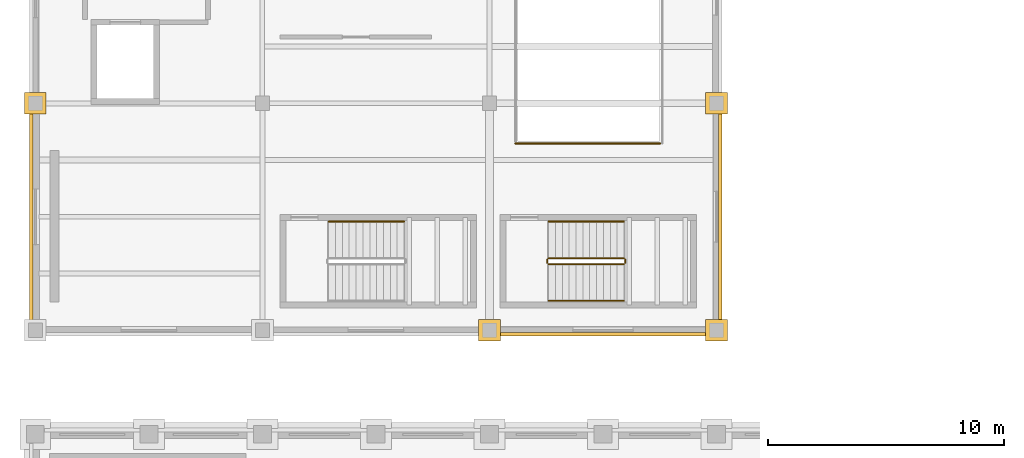
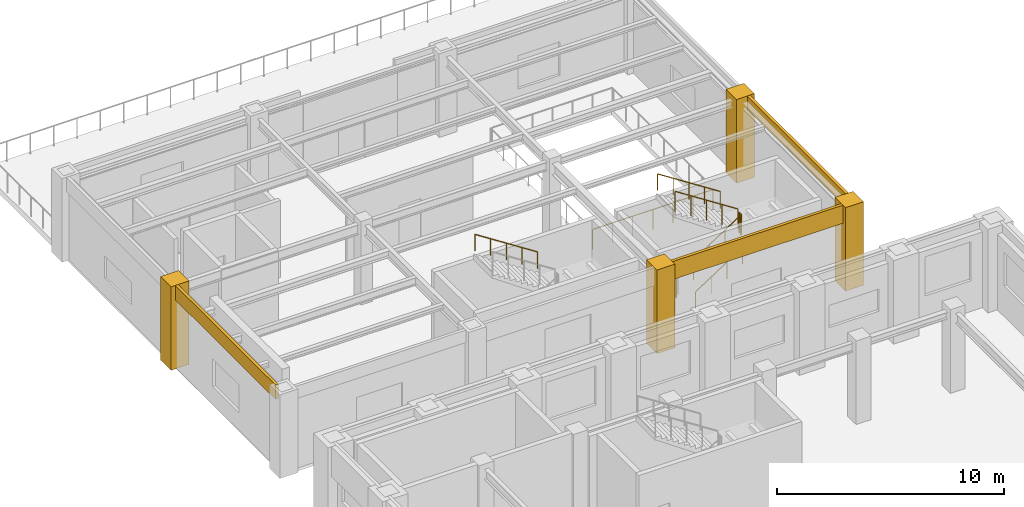
# One storey, part 42 of 46: 8 railings, 7 coverings.
"""IFC4 building model written with IfcOpenShell, lengths in metres."""

from ifc_helpers import new_model, si_unit, direction, frame, origin, origin_2d, place, context, subcontext, project, spatial, polyline, circle, outline, extrude, material, layer, layer_set, type_object, element, save


model = new_model("IFC4")

# Units and contexts
model_context = context("Model", 3, precision=1e-05, world=origin(), true_north=direction((0.0, 1.0)))
body_context = subcontext(model_context, "Body", "Model", "MODEL_VIEW")
ifc_project = project(units=[si_unit("LENGTHUNIT", "METRE"), si_unit("AREAUNIT", "SQUARE_METRE"), si_unit("VOLUMEUNIT", "CUBIC_METRE"), si_unit("PLANEANGLEUNIT", "RADIAN"), si_unit("MASSUNIT", "GRAM", prefix="KILO")], contexts=[model_context])

# Site, building, storey
site_placement = place(None, origin())
site = spatial("IfcSite", under=ifc_project, at=site_placement, CompositionType="ELEMENT")
building_placement = place(site_placement, origin())
building = spatial("IfcBuilding", under=site, at=building_placement, Name="Mavantir Sound Aquarium", CompositionType="ELEMENT")
storey_placement = place(building_placement, frame((0.0, 0.0, 15.300048828125)))
storey = spatial("IfcBuildingStorey", under=building, at=storey_placement, Name="L03", CompositionType="ELEMENT", Elevation=15.300048828125)

# Coverings
ifc_material_1 = material(Name="Honed Coral-Limestone & Glazed Terracotta Rainscreen Cladding", Category="masonry")
ifc_layer = layer(ifc_material_1, 0.06005859375, Name="Honed Coral-Limestone & Glazed Terracotta Rainscreen Cladding")
ifc_layer_set = layer_set([ifc_layer], Name="Honed Coral-Limestone & Glazed Terracotta Rainscreen Cladding")
covering_type = type_object("IfcCoveringType", Name="COV-CLAD-TC", PredefinedType="CLADDING", material=ifc_layer_set)
covering_1_placement = place(storey_placement, frame((0.0, 0.0, 3.77294921875)))
element("IfcCovering", 1, at=covering_1_placement, inside=storey, type_object=covering_type, Name="L03 Postmodern coral-limestone spandrel frieze 464", PredefinedType="CLADDING", context=body_context, shape_type="SweptSolid", body=[
    extrude(outline(polyline([(28.889892578125, 83.907958984375), (28.889892578125, 92.89208984375), (29.0400390625, 92.89208984375), (29.0400390625, 83.907958984375), (28.889892578125, 83.907958984375)])), origin(), (0.0, 0.0, 1.0), 0.72705078125),
])
covering_2_placement = place(storey_placement, frame((0.0, 0.0, 3.718994140625)))
element("IfcCovering", 2, at=covering_2_placement, inside=storey, type_object=covering_type, Name="L03 Postmodern coral-limestone spandrel frieze 471", PredefinedType="CLADDING", context=body_context, shape_type="SweptSolid", body=[
    extrude(outline(polyline([(-0.090087890625, 92.89208984375), (-0.090087890625, 83.907958984375), (-0.239990234375, 83.907958984375), (-0.239990234375, 92.89208984375), (-0.090087890625, 92.89208984375)])), origin(), (0.0, 0.0, 1.0), 0.781005859375),
])
covering_3_placement = place(storey_placement, frame((0.0, 0.0, 3.52490234375)))
element("IfcCovering", 3, at=covering_3_placement, inside=storey, type_object=covering_type, Name="L03 Postmodern coral-limestone spandrel frieze 474", PredefinedType="CLADDING", context=body_context, shape_type="SweptSolid", body=[
    extrude(outline(polyline([(19.508056640625, 83.510009765625), (28.491943359375, 83.510009765625), (28.491943359375, 83.360107421875), (19.508056640625, 83.360107421875), (19.508056640625, 83.510009765625)])), origin(), (0.0, 0.0, 1.0), 0.97509765625),
])
covering_4_placement = place(storey_placement, origin())
element("IfcCovering", 4, at=covering_4_placement, inside=storey, type_object=covering_type, Name="L03 Postmodern coral-limestone pilaster casing 352", PredefinedType="CLADDING", context=body_context, shape_type="SweptSolid", body=[
    extrude(outline(polyline([(-0.4599609375, 92.739990234375), (0.4599609375, 92.739990234375), (0.4599609375, 93.659912109375), (-0.4599609375, 93.659912109375), (-0.4599609375, 92.739990234375)])), origin(), (0.0, 0.0, 1.0), 4.5),
])
covering_5_placement = place(storey_placement, origin())
element("IfcCovering", 5, at=covering_5_placement, inside=storey, type_object=covering_type, Name="L03 Postmodern coral-limestone pilaster casing 381", PredefinedType="CLADDING", context=body_context, shape_type="SweptSolid", body=[
    extrude(outline(polyline([(18.739990234375, 83.139892578125), (19.659912109375, 83.139892578125), (19.659912109375, 84.06005859375), (18.739990234375, 84.06005859375), (18.739990234375, 83.139892578125)])), origin(), (0.0, 0.0, 1.0), 4.5),
])
covering_6_placement = place(storey_placement, origin())
element("IfcCovering", 6, at=covering_6_placement, inside=storey, type_object=covering_type, Name="L03 Postmodern coral-limestone pilaster casing 393", PredefinedType="CLADDING", context=body_context, shape_type="SweptSolid", body=[
    extrude(outline(polyline([(28.340087890625, 83.139892578125), (29.260009765625, 83.139892578125), (29.260009765625, 84.06005859375), (28.340087890625, 84.06005859375), (28.340087890625, 83.139892578125)])), origin(), (0.0, 0.0, 1.0), 4.5),
])
covering_7_placement = place(storey_placement, origin())
element("IfcCovering", 7, at=covering_7_placement, inside=storey, type_object=covering_type, Name="L03 Postmodern coral-limestone pilaster casing 397", PredefinedType="CLADDING", context=body_context, shape_type="SweptSolid", body=[
    extrude(outline(polyline([(28.340087890625, 92.739990234375), (29.260009765625, 92.739990234375), (29.260009765625, 93.659912109375), (28.340087890625, 93.659912109375), (28.340087890625, 92.739990234375)])), origin(), (0.0, 0.0, 1.0), 4.5),
])

# Railings
ifc_material_2 = material(Name="Stainless Steel 316 and Laminated Glass Guardrail", Category="steel")
railing_type_1 = type_object("IfcRailingType", Name="RL-GUARD-110", PredefinedType="GUARDRAIL", material=ifc_material_2)
railing_1_placement = place(storey_placement, frame((20.300048828125, 91.5, 0.0)))
element("IfcRailing", 8, at=railing_1_placement, inside=storey, type_object=railing_type_1, Name="L03 atrium void S guardrail 147", PredefinedType="GUARDRAIL", context=body_context, shape_type="SweptSolid", body=[
    extrude(circle(Radius=0.02392578125, at=origin_2d()), frame((0.0, 0.0, 1.076171875), z_axis=(1.0, 0.0, 0.0), x_axis=(0.0, 1.0, 0.0)), (0.0, 0.0, 1.0), 6.119873046875),
    extrude(circle(Radius=0.02099609375, at=origin_2d()), origin(), (0.0, 0.0, 1.0), 1.052001953125),
    extrude(circle(Radius=0.02099609375, at=origin_2d()), frame((1.02001953125, 0.0, 0.0)), (0.0, 0.0, 1.0), 1.052001953125),
    extrude(circle(Radius=0.02099609375, at=origin_2d()), frame((2.0400390625, 0.0, 0.0)), (0.0, 0.0, 1.0), 1.052001953125),
    extrude(circle(Radius=0.02099609375, at=origin_2d()), frame((3.06005859375, 0.0, 0.0)), (0.0, 0.0, 1.0), 1.052001953125),
    extrude(circle(Radius=0.02099609375, at=origin_2d()), frame((4.079833984375, 0.0, 0.0)), (0.0, 0.0, 1.0), 1.052001953125),
    extrude(circle(Radius=0.02099609375, at=origin_2d()), frame((5.099853515625, 0.0, 0.0)), (0.0, 0.0, 1.0), 1.052001953125),
    extrude(circle(Radius=0.02099609375, at=origin_2d()), frame((6.119873046875, 0.0, 0.0)), (0.0, 0.0, 1.0), 1.052001953125),
])
railing_2_placement = place(storey_placement, frame((21.699951171875, 86.39990234375, 0.1875)))
element("IfcRailing", 9, at=railing_2_placement, inside=storey, type_object=railing_type_1, Name="L03 ST7 stair guard 1", PredefinedType="GUARDRAIL", context=body_context, shape_type="SweptSolid", body=[
    extrude(circle(Radius=0.02392578125, at=origin_2d()), frame((0.0, 0.0, 1.076171875), z_axis=(0.839759782654, 0.0, 0.542958108362), x_axis=(0.0, 1.0, 0.0)), (0.0, 0.0, 1.0), 3.798583984375),
    extrude(circle(Radius=0.02099609375, at=origin_2d()), origin(), (0.0, 0.0, 1.0), 1.052001953125),
    extrude(circle(Radius=0.02099609375, at=origin_2d()), frame((0.79736328125, 0.0, 0.515625)), (0.0, 0.0, 1.0), 1.052001953125),
    extrude(circle(Radius=0.02099609375, at=origin_2d()), frame((1.594970703125, 0.0, 1.03125)), (0.0, 0.0, 1.0), 1.052001953125),
    extrude(circle(Radius=0.02099609375, at=origin_2d()), frame((2.392578125, 0.0, 1.546875)), (0.0, 0.0, 1.0), 1.052001953125),
    extrude(circle(Radius=0.02099609375, at=origin_2d()), frame((3.18994140625, 0.0, 2.0625)), (0.0, 0.0, 1.0), 1.052001953125),
])
railing_3_placement = place(storey_placement, frame((24.93994140625, 86.449951171875, 2.25)))
element("IfcRailing", 10, at=railing_3_placement, inside=storey, type_object=railing_type_1, Name="L03 ST7 stair guard 2", PredefinedType="GUARDRAIL", context=body_context, shape_type="SweptSolid", body=[
    extrude(circle(Radius=0.02392578125, at=origin_2d()), frame((0.0, 0.0, 1.076171875), z_axis=(0.0, 1.0, 0.0), x_axis=(-1.0, 0.0, 0.0)), (0.0, 0.0, 1.0), 0.150146484375),
    extrude(circle(Radius=0.02099609375, at=origin_2d()), origin(), (0.0, 0.0, 1.0), 1.052001953125),
    extrude(circle(Radius=0.02099609375, at=origin_2d()), frame((0.0, 0.150146484375, 0.0)), (0.0, 0.0, 1.0), 1.052001953125),
])
railing_4_placement = place(storey_placement, frame((24.889892578125, 86.64990234375, 2.4375)))
element("IfcRailing", 11, at=railing_4_placement, inside=storey, type_object=railing_type_1, Name="L03 ST7 stair guard 3", PredefinedType="GUARDRAIL", context=body_context, shape_type="SweptSolid", body=[
    extrude(circle(Radius=0.02392578125, at=origin_2d()), frame((0.0, 0.0, 1.076171875), z_axis=(-0.839759782654, 0.0, 0.542958108362), x_axis=(0.0, -1.0, 0.0)), (0.0, 0.0, 1.0), 3.798583984375),
    extrude(circle(Radius=0.02099609375, at=origin_2d()), origin(), (0.0, 0.0, 1.0), 1.052001953125),
    extrude(circle(Radius=0.02099609375, at=origin_2d()), frame((-0.79736328125, 0.0, 0.515625)), (0.0, 0.0, 1.0), 1.052001953125),
    extrude(circle(Radius=0.02099609375, at=origin_2d()), frame((-1.594970703125, 0.0, 1.03125)), (0.0, 0.0, 1.0), 1.052001953125),
    extrude(circle(Radius=0.02099609375, at=origin_2d()), frame((-2.392578125, 0.0, 1.546875)), (0.0, 0.0, 1.0), 1.052001953125),
    extrude(circle(Radius=0.02099609375, at=origin_2d()), frame((-3.18994140625, 0.0, 2.0625)), (0.0, 0.0, 1.0), 1.052001953125),
])
railing_5_placement = place(storey_placement, frame((21.64990234375, 86.449951171875, 0.0)))
element("IfcRailing", 12, at=railing_5_placement, inside=storey, type_object=railing_type_1, Name="L03 ST7 stair guard 4", PredefinedType="GUARDRAIL", context=body_context, shape_type="SweptSolid", body=[
    extrude(circle(Radius=0.02392578125, at=origin_2d()), frame((0.0, 0.0, 1.076171875), z_axis=(0.0, 1.0, 0.0), x_axis=(-1.0, 0.0, 0.0)), (0.0, 0.0, 1.0), 0.150146484375),
    extrude(circle(Radius=0.02099609375, at=origin_2d()), origin(), (0.0, 0.0, 1.0), 1.052001953125),
    extrude(circle(Radius=0.02099609375, at=origin_2d()), frame((0.0, 0.150146484375, 0.0)), (0.0, 0.0, 1.0), 1.052001953125),
])
ifc_material_3 = material(Name="Brushed Stainless Steel 316 Handrail", Category="steel")
railing_type_2 = type_object("IfcRailingType", Name="RL-HR-90", PredefinedType="HANDRAIL", material=ifc_material_3)
railing_6_placement = place(storey_placement, frame((15.590087890625, 88.199951171875, 2.62255859375)))
element("IfcRailing", 13, at=railing_6_placement, inside=storey, type_object=railing_type_2, Name="L03 ST5 stair handrail 2", PredefinedType="HANDRAIL", context=body_context, shape_type="SweptSolid", body=[
    extrude(circle(Radius=0.02392578125, at=origin_2d()), frame((0.0, 0.0, 0.89111328125), z_axis=(-0.839778728322, 0.0, 0.542928805147), x_axis=(0.0, -1.0, 0.0)), (0.0, 0.0, 1.0), 3.798828125),
    extrude(circle(Radius=0.02099609375, at=origin_2d()), origin(), (0.0, 0.0, 1.0), 0.866943359375),
    extrude(circle(Radius=0.02099609375, at=origin_2d()), frame((-0.797607421875, 0.0, 0.515625)), (0.0, 0.0, 1.0), 0.866943359375),
    extrude(circle(Radius=0.02099609375, at=origin_2d()), frame((-1.59521484375, 0.0, 1.03125)), (0.0, 0.0, 1.0), 0.866943359375),
    extrude(circle(Radius=0.02099609375, at=origin_2d()), frame((-2.392578125, 0.0, 1.546875)), (0.0, 0.0, 1.0), 0.866943359375),
    extrude(circle(Radius=0.02099609375, at=origin_2d()), frame((-3.190185546875, 0.0, 2.0625)), (0.0, 0.0, 1.0), 0.866943359375),
])
railing_7_placement = place(storey_placement, frame((21.699951171875, 84.85009765625, 0.37255859375)))
element("IfcRailing", 14, at=railing_7_placement, inside=storey, type_object=railing_type_2, Name="L03 ST7 stair handrail 1", PredefinedType="HANDRAIL", context=body_context, shape_type="SweptSolid", body=[
    extrude(circle(Radius=0.02392578125, at=origin_2d()), frame((0.0, 0.0, 0.89111328125), z_axis=(0.839759782654, 0.0, 0.542958108362), x_axis=(0.0, 1.0, 0.0)), (0.0, 0.0, 1.0), 3.798583984375),
    extrude(circle(Radius=0.02099609375, at=origin_2d()), origin(), (0.0, 0.0, 1.0), 0.866943359375),
    extrude(circle(Radius=0.02099609375, at=origin_2d()), frame((0.79736328125, 0.0, 0.515625)), (0.0, 0.0, 1.0), 0.866943359375),
    extrude(circle(Radius=0.02099609375, at=origin_2d()), frame((1.594970703125, 0.0, 1.03125)), (0.0, 0.0, 1.0), 0.866943359375),
    extrude(circle(Radius=0.02099609375, at=origin_2d()), frame((2.392578125, 0.0, 1.546875)), (0.0, 0.0, 1.0), 0.866943359375),
    extrude(circle(Radius=0.02099609375, at=origin_2d()), frame((3.18994140625, 0.0, 2.0625)), (0.0, 0.0, 1.0), 0.866943359375),
])
railing_8_placement = place(storey_placement, frame((24.889892578125, 88.199951171875, 2.62255859375)))
element("IfcRailing", 15, at=railing_8_placement, inside=storey, type_object=railing_type_2, Name="L03 ST7 stair handrail 2", PredefinedType="HANDRAIL", context=body_context, shape_type="SweptSolid", body=[
    extrude(circle(Radius=0.02392578125, at=origin_2d()), frame((0.0, 0.0, 0.89111328125), z_axis=(-0.839759782654, 0.0, 0.542958108362), x_axis=(0.0, -1.0, 0.0)), (0.0, 0.0, 1.0), 3.798583984375),
    extrude(circle(Radius=0.02099609375, at=origin_2d()), origin(), (0.0, 0.0, 1.0), 0.866943359375),
    extrude(circle(Radius=0.02099609375, at=origin_2d()), frame((-0.79736328125, 0.0, 0.515625)), (0.0, 0.0, 1.0), 0.866943359375),
    extrude(circle(Radius=0.02099609375, at=origin_2d()), frame((-1.594970703125, 0.0, 1.03125)), (0.0, 0.0, 1.0), 0.866943359375),
    extrude(circle(Radius=0.02099609375, at=origin_2d()), frame((-2.392578125, 0.0, 1.546875)), (0.0, 0.0, 1.0), 0.866943359375),
    extrude(circle(Radius=0.02099609375, at=origin_2d()), frame((-3.18994140625, 0.0, 2.0625)), (0.0, 0.0, 1.0), 0.866943359375),
])

save(model, "model.ifc")
